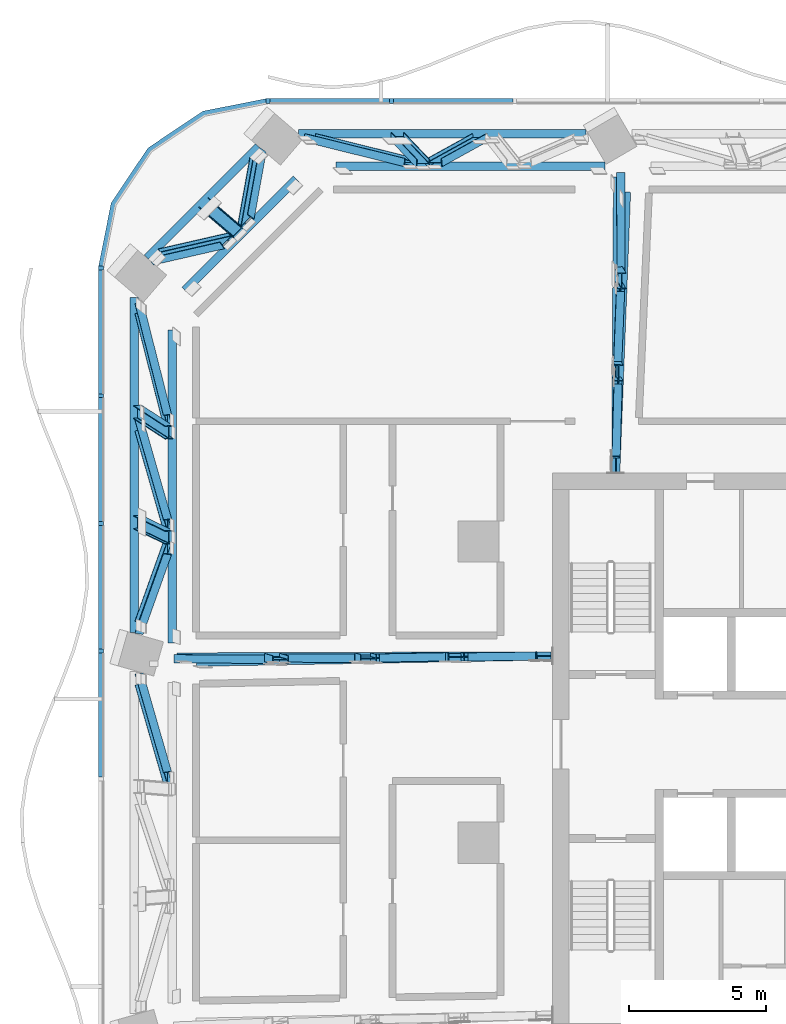
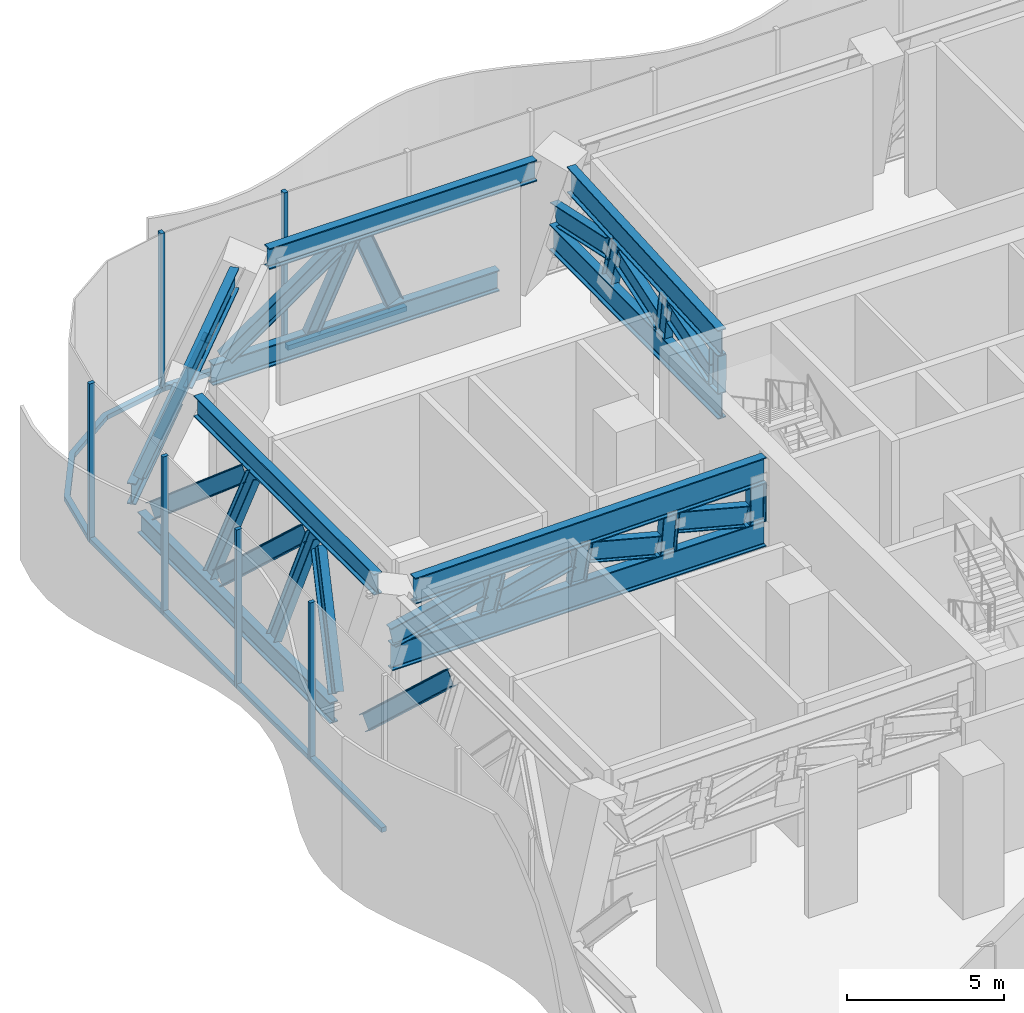
# One storey, part 6 of 32: 49 members, 3 elements without a shape of their own.
"""IFC4 building model written with IfcOpenShell, lengths in metres."""

from ifc_helpers import new_model, si_unit, direction, frame, origin, origin_2d, place, context, subcontext, project, spatial, polyline, rectangle, i_section, outline, extrude, material, material_profile, profile_set, type_object, element, aggregate, save


model = new_model("IFC4")

# Units and contexts
model_context = context("Model", 3, precision=1e-05, world=origin(), true_north=direction((0.0, 1.0)))
body_context = subcontext(model_context, "Body", "Model", "MODEL_VIEW")
ifc_project = project(units=[si_unit("LENGTHUNIT", "METRE"), si_unit("AREAUNIT", "SQUARE_METRE"), si_unit("VOLUMEUNIT", "CUBIC_METRE"), si_unit("PLANEANGLEUNIT", "RADIAN"), si_unit("MASSUNIT", "GRAM", prefix="KILO")], contexts=[model_context])

# Site, building, storey
site_placement = place(None, origin())
site = spatial("IfcSite", under=ifc_project, at=site_placement, CompositionType="ELEMENT")
building_placement = place(site_placement, origin())
building = spatial("IfcBuilding", under=site, at=building_placement, Name="Mopane Tessera Tower", CompositionType="ELEMENT")
storey_placement = place(building_placement, frame((0.0, 0.0, 88.60009765625)))
storey = spatial("IfcBuildingStorey", under=building, at=storey_placement, Name="L17", CompositionType="ELEMENT", Elevation=88.60009765625)

# Curtain wall, members
ifc_material_1 = material(Name="Aluminium frame", Category="aluminium")
curtain_wall_type = type_object("IfcCurtainWallType", Name="Plant floor unitised wall", PredefinedType="NOTDEFINED", material=ifc_material_1)
curtain_wall_1_placement = place(storey_placement, origin())
curtain_wall_1 = element("IfcCurtainWall", 1, at=curtain_wall_1_placement, inside=storey, type_object=curtain_wall_type, Name="e:cw:L17:N:0", PredefinedType="NOTDEFINED")
ifc_material_2 = material(Name="Aluminium frame", Category="aluminium")
ifc_material_profile_1 = material_profile(ifc_material_2, rectangle(XDim=0.139892578125, YDim=0.199951171875, at=origin_2d()))
ifc_profile_set_1 = profile_set([ifc_material_profile_1], Name="Aluminium frame")
member_type_1 = type_object("IfcMemberType", Name="Aluminium mullion 140 x 200", PredefinedType="MULLION", material=ifc_profile_set_1)
member_1_placement = place(storey_placement, frame((-20.291015625, 27.10009765625, -0.60009765625), z_axis=(0.0, 0.0, 1.0), x_axis=(-1.0, 0.0, 0.0)))
member_1 = element("IfcMember", 2, at=member_1_placement, type_object=member_type_1, Name="e:cw:L17:N:0:mu10", PredefinedType="MULLION", context=body_context, shape_type="SweptSolid", body=[
    extrude(rectangle(XDim=0.139892578125, YDim=0.199951171875, at=origin_2d()), origin(), (0.0, 0.0, 1.0), 6.14990234375),
])
member_2_placement = place(storey_placement, frame((-24.800048828125, 27.10009765625, -0.60009765625), z_axis=(0.0, 0.0, 1.0), x_axis=(-1.0, 0.0, 0.0)))
member_2 = element("IfcMember", 3, at=member_2_placement, type_object=member_type_1, Name="e:cw:L17:N:0:mu11", PredefinedType="MULLION", context=body_context, shape_type="SweptSolid", body=[
    extrude(rectangle(XDim=0.139892578125, YDim=0.199951171875, at=origin_2d()), origin(), (0.0, 0.0, 1.0), 6.14990234375),
])

curtain_wall_2_placement = place(storey_placement, origin())
curtain_wall_2 = element("IfcCurtainWall", 4, at=curtain_wall_2_placement, inside=storey, type_object=curtain_wall_type, Name="e:cw:L17:W:0", PredefinedType="NOTDEFINED")
member_3_placement = place(storey_placement, frame((-30.89990234375, 21.0, -0.60009765625), z_axis=(0.0, 0.0, 1.0), x_axis=(0.0, -1.0, 0.0)))
member_3 = element("IfcMember", 5, at=member_3_placement, type_object=member_type_1, Name="e:cw:L17:W:0:mu0", PredefinedType="MULLION", context=body_context, shape_type="SweptSolid", body=[
    extrude(rectangle(XDim=0.139892578125, YDim=0.199951171875, at=origin_2d()), origin(), (0.0, 0.0, 1.0), 6.14990234375),
])
member_4_placement = place(storey_placement, frame((-30.89990234375, 16.333251953125, -0.60009765625), z_axis=(0.0, 0.0, 1.0), x_axis=(0.0, -1.0, 0.0)))
member_4 = element("IfcMember", 6, at=member_4_placement, type_object=member_type_1, Name="e:cw:L17:W:0:mu1", PredefinedType="MULLION", context=body_context, shape_type="SweptSolid", body=[
    extrude(rectangle(XDim=0.139892578125, YDim=0.199951171875, at=origin_2d()), origin(), (0.0, 0.0, 1.0), 6.14990234375),
])
member_5_placement = place(storey_placement, frame((-30.89990234375, 11.666748046875, -0.60009765625), z_axis=(0.0, 0.0, 1.0), x_axis=(0.0, -1.0, 0.0)))
member_5 = element("IfcMember", 7, at=member_5_placement, type_object=member_type_1, Name="e:cw:L17:W:0:mu2", PredefinedType="MULLION", context=body_context, shape_type="SweptSolid", body=[
    extrude(rectangle(XDim=0.139892578125, YDim=0.199951171875, at=origin_2d()), origin(), (0.0, 0.0, 1.0), 6.14990234375),
])
member_6_placement = place(storey_placement, frame((-30.89990234375, 7.0, -0.60009765625), z_axis=(0.0, 0.0, 1.0), x_axis=(0.0, -1.0, 0.0)))
member_6 = element("IfcMember", 8, at=member_6_placement, type_object=member_type_1, Name="e:cw:L17:W:0:mu3", PredefinedType="MULLION", context=body_context, shape_type="SweptSolid", body=[
    extrude(rectangle(XDim=0.139892578125, YDim=0.199951171875, at=origin_2d()), origin(), (0.0, 0.0, 1.0), 6.14990234375),
])

# Member
ifc_material_3 = material(Name="Aluminium frame", Category="aluminium")
ifc_material_profile_2 = material_profile(ifc_material_3, rectangle(XDim=0.199951171875, YDim=0.179931640625, at=origin_2d()))
ifc_profile_set_2 = profile_set([ifc_material_profile_2], Name="Aluminium frame")
member_type_2 = type_object("IfcMemberType", Name="Aluminium transom 200 x 180", PredefinedType="USERDEFINED", material=ifc_profile_set_2)
member_7_placement = place(storey_placement, frame((-15.851806640625, 27.10009765625, -0.510009765625), z_axis=(-1.0, 0.0, 0.0), x_axis=(0.0, -1.0, 0.0)))
member_7 = element("IfcMember", 9, at=member_7_placement, type_object=member_type_2, Name="e:cw:L17:N:0:tr9", ObjectType="TRANSOM", PredefinedType="USERDEFINED", context=body_context, shape_type="SweptSolid", body=[
    extrude(rectangle(XDim=0.199951171875, YDim=0.179931640625, at=origin_2d()), origin(), (0.0, 0.0, 1.0), 4.369140625),
])

member_8_placement = place(storey_placement, frame((-20.36083984375, 27.10009765625, -0.510009765625), z_axis=(-1.0, 0.0, 0.0), x_axis=(0.0, -1.0, 0.0)))
member_8 = element("IfcMember", 10, at=member_8_placement, type_object=member_type_2, Name="e:cw:L17:N:0:tr10", ObjectType="TRANSOM", PredefinedType="USERDEFINED", context=body_context, shape_type="SweptSolid", body=[
    extrude(rectangle(XDim=0.199951171875, YDim=0.179931640625, at=origin_2d()), origin(), (0.0, 0.0, 1.0), 4.369140625),
])

aggregate(curtain_wall_1, [member_1, member_2, member_7, member_8])

# Curtain wall, member
curtain_wall_3_placement = place(storey_placement, origin())
curtain_wall_3 = element("IfcCurtainWall", 11, at=curtain_wall_3_placement, inside=storey, type_object=curtain_wall_type, Name="e:cw:L17:CN", PredefinedType="NOTDEFINED")
member_9_placement = place(storey_placement, frame((0.0, 0.0, -0.60009765625)))
member_9 = element("IfcMember", 12, at=member_9_placement, type_object=member_type_2, Name="e:cw:L17:CN:tr", ObjectType="TRANSOM", PredefinedType="USERDEFINED", context=body_context, shape_type="SweptSolid", body=[
    extrude(outline(polyline([(-24.800048828125, 27.0), (-27.09619140625, 26.543212890625), (-29.042724609375, 25.24267578125), (-30.34326171875, 23.296142578125), (-30.800048828125, 21.0), (-31.0, 21.0), (-30.528076171875, 23.37255859375), (-29.18408203125, 25.384033203125), (-27.172607421875, 26.72802734375), (-24.800048828125, 27.199951171875), (-24.800048828125, 27.0)])), origin(), (0.0, 0.0, 1.0), 0.179931640625),
])
aggregate(curtain_wall_3, [member_9])

# Member
member_10_placement = place(storey_placement, frame((-30.89990234375, 20.929931640625, -0.510009765625), z_axis=(0.0, -1.0, 0.0), x_axis=(1.0, 0.0, 0.0)))
member_10 = element("IfcMember", 13, at=member_10_placement, type_object=member_type_2, Name="e:cw:L17:W:0:tr0", ObjectType="TRANSOM", PredefinedType="USERDEFINED", context=body_context, shape_type="SweptSolid", body=[
    extrude(rectangle(XDim=0.199951171875, YDim=0.179931640625, at=origin_2d()), origin(), (0.0, 0.0, 1.0), 4.526611328125),
])

member_11_placement = place(storey_placement, frame((-30.89990234375, 16.263427734375, -0.510009765625), z_axis=(0.0, -1.0, 0.0), x_axis=(1.0, 0.0, 0.0)))
member_11 = element("IfcMember", 14, at=member_11_placement, type_object=member_type_2, Name="e:cw:L17:W:0:tr1", ObjectType="TRANSOM", PredefinedType="USERDEFINED", context=body_context, shape_type="SweptSolid", body=[
    extrude(rectangle(XDim=0.199951171875, YDim=0.179931640625, at=origin_2d()), origin(), (0.0, 0.0, 1.0), 4.52685546875),
])

member_12_placement = place(storey_placement, frame((-30.89990234375, 11.5966796875, -0.510009765625), z_axis=(0.0, -1.0, 0.0), x_axis=(1.0, 0.0, 0.0)))
member_12 = element("IfcMember", 15, at=member_12_placement, type_object=member_type_2, Name="e:cw:L17:W:0:tr2", ObjectType="TRANSOM", PredefinedType="USERDEFINED", context=body_context, shape_type="SweptSolid", body=[
    extrude(rectangle(XDim=0.199951171875, YDim=0.179931640625, at=origin_2d()), origin(), (0.0, 0.0, 1.0), 4.526611328125),
])

member_13_placement = place(storey_placement, frame((-30.89990234375, 6.929931640625, -0.510009765625), z_axis=(0.0, -1.0, 0.0), x_axis=(1.0, 0.0, 0.0)))
member_13 = element("IfcMember", 16, at=member_13_placement, type_object=member_type_2, Name="e:cw:L17:W:0:tr3", ObjectType="TRANSOM", PredefinedType="USERDEFINED", context=body_context, shape_type="SweptSolid", body=[
    extrude(rectangle(XDim=0.199951171875, YDim=0.179931640625, at=origin_2d()), origin(), (0.0, 0.0, 1.0), 4.526611328125),
])

aggregate(curtain_wall_2, [member_3, member_4, member_5, member_6, member_10, member_11, member_12, member_13])

# Members
ifc_material_4 = material(Name="Structural steel S460", Category="steel")
ifc_material_profile_3 = material_profile(ifc_material_4, i_section(OverallWidth=0.302978515625, OverallDepth=0.81396484375, WebThickness=0.02099609375, FlangeThickness=0.0400390625, FilletRadius=0.030029296875, at=origin_2d()))
ifc_profile_set_3 = profile_set([ifc_material_profile_3], Name="Structural steel S460")
member_type_3 = type_object("IfcMemberType", Name="Belt truss chord HE 800 M", PredefinedType="CHORD", material=ifc_profile_set_3)
member_14_placement = place(storey_placement, frame((-13.180908203125, 25.898193359375, 0.406982421875), z_axis=(-1.0, 0.0, 0.0), x_axis=(0.0, -1.0, 0.0)))
element("IfcMember", 17, at=member_14_placement, inside=storey, type_object=member_type_3, Name="Belt truss bottom chord L17 N3-N4", PredefinedType="CHORD", context=body_context, shape_type="SweptSolid", body=[
    extrude(i_section(OverallWidth=0.302978515625, OverallDepth=0.81396484375, WebThickness=0.02099609375, FlangeThickness=0.0400390625, FilletRadius=0.030029296875, at=origin_2d()), origin(), (0.0, 0.0, 1.0), 10.508056640625),
])
member_15_placement = place(storey_placement, frame((-12.490234375, 24.71435546875, 5.142822265625), z_axis=(-1.0, 0.0, 0.0), x_axis=(0.0, -1.0, 0.0)))
element("IfcMember", 18, at=member_15_placement, inside=storey, type_object=member_type_3, Name="Belt truss top chord L17 N3-N4", PredefinedType="CHORD", context=body_context, shape_type="SweptSolid", body=[
    extrude(i_section(OverallWidth=0.302978515625, OverallDepth=0.81396484375, WebThickness=0.02099609375, FlangeThickness=0.0400390625, FilletRadius=0.030029296875, at=origin_2d()), origin(), (0.0, 0.0, 1.0), 9.8173828125),
])
for number, where, z_axis, x_axis, name in (
    (19, (-25.150146484375, 25.429443359375, 0.406982421875), (-0.707106781187, -0.707106781187, 0.0), (0.707106781187, -0.707106781187, 0.0), "Belt truss bottom chord L17 N4-W0"),
    (20, (-23.768798828125, 24.245361328125, 5.142822265625), (-0.707106781187, -0.707106781187, 0.0), (0.707106781187, -0.707106781187, 0.0), "Belt truss top chord L17 N4-W0"),
):
    element("IfcMember", number, at=place(storey_placement, frame(where, z_axis=z_axis, x_axis=x_axis)), inside=storey, type_object=member_type_3, Name=name, PredefinedType="CHORD", context=body_context, shape_type="SweptSolid", body=[
        extrude(i_section(OverallWidth=0.302978515625, OverallDepth=0.81396484375, WebThickness=0.02099609375, FlangeThickness=0.0400390625, FilletRadius=0.030029296875, at=origin_2d()), origin(), (0.0, 0.0, 1.0), 5.744873046875),
    ])
member_16_placement = place(storey_placement, frame((-29.681396484375, 19.912841796875, 0.406982421875), z_axis=(0.0, -1.0, 0.0), x_axis=(1.0, 0.0, 0.0)))
element("IfcMember", 21, at=member_16_placement, inside=storey, type_object=member_type_3, Name="Belt truss bottom chord L17 W0-W1", PredefinedType="CHORD", context=body_context, shape_type="SweptSolid", body=[
    extrude(i_section(OverallWidth=0.302978515625, OverallDepth=0.81396484375, WebThickness=0.02099609375, FlangeThickness=0.0400390625, FilletRadius=0.030029296875, at=origin_2d()), origin(), (0.0, 0.0, 1.0), 12.22802734375),
])
member_17_placement = place(storey_placement, frame((-28.300048828125, 18.72900390625, 5.142822265625), z_axis=(0.0, -1.0, 0.0), x_axis=(1.0, 0.0, 0.0)))
element("IfcMember", 22, at=member_17_placement, inside=storey, type_object=member_type_3, Name="Belt truss top chord L17 W0-W1", PredefinedType="CHORD", context=body_context, shape_type="SweptSolid", body=[
    extrude(i_section(OverallWidth=0.302978515625, OverallDepth=0.81396484375, WebThickness=0.02099609375, FlangeThickness=0.0400390625, FilletRadius=0.030029296875, at=origin_2d()), origin(), (0.0, 0.0, 1.0), 11.438720703125),
])
ifc_material_5 = material(Name="Structural steel S460", Category="steel")
ifc_material_profile_4 = material_profile(ifc_material_5, i_section(OverallWidth=0.300048828125, OverallDepth=0.60009765625, WebThickness=0.015380859375, FlangeThickness=0.030029296875, FilletRadius=0.027099609375, at=origin_2d()))
ifc_profile_set_4 = profile_set([ifc_material_profile_4], Name="Structural steel S460")
member_type_4 = type_object("IfcMemberType", Name="Belt truss diagonal HE 600 B", PredefinedType="BRACE", material=ifc_profile_set_4)
member_18_placement = place(storey_placement, frame((-17.060791015625, 25.76220703125, 0.950927734375), z_axis=(-0.402501298803, -0.221993849827, 0.888094271517), x_axis=(0.091567308749, -0.975048062756, -0.202229333392)))
element("IfcMember", 23, at=member_18_placement, inside=storey, type_object=member_type_4, Name="Belt truss diagonal 1 L17 N3-N4", PredefinedType="BRACE", context=body_context, shape_type="SweptSolid", body=[
    extrude(i_section(OverallWidth=0.300048828125, OverallDepth=0.60009765625, WebThickness=0.015380859375, FlangeThickness=0.030029296875, FilletRadius=0.027099609375, at=origin_2d()), origin(), (0.0, 0.0, 1.0), 4.107666015625),
])
member_19_placement = place(storey_placement, frame((-19.6083984375, 24.853759765625, 4.5849609375), z_axis=(-0.699650362609, 0.173288160232, -0.693152640928), x_axis=(-0.123111197199, -0.984871165894, -0.121952530583)))
element("IfcMember", 24, at=member_19_placement, inside=storey, type_object=member_type_4, Name="Belt truss diagonal 2 L17 N3-N4", PredefinedType="BRACE", context=body_context, shape_type="SweptSolid", body=[
    extrude(i_section(OverallWidth=0.300048828125, OverallDepth=0.60009765625, WebThickness=0.015380859375, FlangeThickness=0.030029296875, FilletRadius=0.027099609375, at=origin_2d()), origin(), (0.0, 0.0, 1.0), 5.22265625),
])
member_20_placement = place(storey_placement, frame((-25.1669921875, 25.129638671875, 0.929443359375), z_axis=(-0.098851267283, -0.548569616047, 0.830240810432), x_axis=(0.778985844771, -0.561817424332, -0.278464064761)))
element("IfcMember", 25, at=member_20_placement, inside=storey, type_object=member_type_4, Name="Belt truss diagonal 0 L17 N4-W0", PredefinedType="BRACE", context=body_context, shape_type="SweptSolid", body=[
    extrude(i_section(OverallWidth=0.300048828125, OverallDepth=0.60009765625, WebThickness=0.015380859375, FlangeThickness=0.030029296875, FilletRadius=0.027099609375, at=origin_2d()), origin(), (0.0, 0.0, 1.0), 4.445556640625),
])
member_21_placement = place(storey_placement, frame((-26.29833984375, 21.9990234375, 4.620361328125), z_axis=(-0.569875535143, -0.130407528995, -0.811317293558), x_axis=(0.557621124298, -0.786576730003, -0.265246544848)))
element("IfcMember", 26, at=member_21_placement, inside=storey, type_object=member_type_4, Name="Belt truss diagonal 1 L17 N4-W0", PredefinedType="BRACE", context=body_context, shape_type="SweptSolid", body=[
    extrude(i_section(OverallWidth=0.300048828125, OverallDepth=0.60009765625, WebThickness=0.015380859375, FlangeThickness=0.030029296875, FilletRadius=0.027099609375, at=origin_2d()), origin(), (0.0, 0.0, 1.0), 4.54931640625),
])
member_22_placement = place(storey_placement, frame((-29.5107421875, 19.527099609375, 0.991943359375), z_axis=(0.188412877586, -0.739719572213, 0.645999645545), x_axis=(0.982089908077, 0.141916811889, -0.12393155755)))
element("IfcMember", 27, at=member_22_placement, inside=storey, type_object=member_type_4, Name="Belt truss diagonal 0 L17 W0-W1", PredefinedType="BRACE", context=body_context, shape_type="SweptSolid", body=[
    extrude(i_section(OverallWidth=0.300048828125, OverallDepth=0.60009765625, WebThickness=0.015380859375, FlangeThickness=0.030029296875, FilletRadius=0.027099609375, at=origin_2d()), origin(), (0.0, 0.0, 1.0), 5.52001953125),
])
member_23_placement = place(storey_placement, frame((-29.513916015625, 15.257080078125, 0.98095703125), z_axis=(0.200403719636, -0.698327007177, 0.687151904752), x_axis=(0.979713401539, 0.142845676318, -0.14055875498)))
element("IfcMember", 28, at=member_23_placement, inside=storey, type_object=member_type_4, Name="Belt truss diagonal 1 L17 W0-W1", PredefinedType="BRACE", context=body_context, shape_type="SweptSolid", body=[
    extrude(i_section(OverallWidth=0.300048828125, OverallDepth=0.60009765625, WebThickness=0.015380859375, FlangeThickness=0.030029296875, FilletRadius=0.027099609375, at=origin_2d()), origin(), (0.0, 0.0, 1.0), 5.221435546875),
])
member_24_placement = place(storey_placement, frame((-28.470703125, 10.768310546875, 4.557861328125), z_axis=(-0.220504789335, -0.616274653011, -0.756031209632), x_axis=(0.975385891778, -0.139320539279, -0.170915620863)))
element("IfcMember", 29, at=member_24_placement, inside=storey, type_object=member_type_4, Name="Belt truss diagonal 2 L17 W0-W1", PredefinedType="BRACE", context=body_context, shape_type="SweptSolid", body=[
    extrude(i_section(OverallWidth=0.300048828125, OverallDepth=0.60009765625, WebThickness=0.015380859375, FlangeThickness=0.030029296875, FilletRadius=0.027099609375, at=origin_2d()), origin(), (0.0, 0.0, 1.0), 4.716552734375),
])
member_25_placement = place(storey_placement, frame((-29.509521484375, 5.9765625, 0.995849609375), z_axis=(0.200932231115, -0.696479987173, 0.688869992064), x_axis=(0.979605144172, 0.14286116767, -0.141295606028)))
element("IfcMember", 30, at=member_25_placement, inside=storey, type_object=member_type_4, Name="Belt truss diagonal 0 L17 W1-W2", PredefinedType="BRACE", context=body_context, shape_type="SweptSolid", body=[
    extrude(i_section(OverallWidth=0.300048828125, OverallDepth=0.60009765625, WebThickness=0.015380859375, FlangeThickness=0.030029296875, FilletRadius=0.027099609375, at=origin_2d()), origin(), (0.0, 0.0, 1.0), 5.1650390625),
])
ifc_material_6 = material(Name="Structural steel S460", Category="steel")
ifc_material_profile_5 = material_profile(ifc_material_6, i_section(OverallWidth=0.300048828125, OverallDepth=0.5, WebThickness=0.014404296875, FlangeThickness=0.028076171875, FilletRadius=0.027099609375, at=origin_2d()))
ifc_profile_set_5 = profile_set([ifc_material_profile_5], Name="Structural steel S460")
member_type_5 = type_object("IfcMemberType", Name="Belt truss post HE 500 B", PredefinedType="POST", material=ifc_profile_set_5)
member_26_placement = place(storey_placement, frame((-20.066650390625, 25.79638671875, 0.81396484375), z_axis=(0.225241193475, -0.236303195662, 0.945212782648), x_axis=(-0.054739580111, -0.971679370141, -0.229875575064)))
element("IfcMember", 31, at=member_26_placement, inside=storey, type_object=member_type_5, Name="Belt truss post 2 L17 N3-N4", PredefinedType="POST", context=body_context, shape_type="SweptSolid", body=[
    extrude(i_section(OverallWidth=0.300048828125, OverallDepth=0.5, WebThickness=0.014404296875, FlangeThickness=0.028076171875, FilletRadius=0.027099609375, at=origin_2d()), origin(), (0.0, 0.0, 1.0), 4.149169921875),
])
member_27_placement = place(storey_placement, frame((-27.062744140625, 23.29638671875, 0.81396484375), z_axis=(0.272304312677, -0.233370490762, 0.933481963049), x_axis=(0.652958739666, -0.667758104727, -0.357412923472)))
element("IfcMember", 32, at=member_27_placement, inside=storey, type_object=member_type_5, Name="Belt truss post 1 L17 N4-W0", PredefinedType="POST", context=body_context, shape_type="SweptSolid", body=[
    extrude(i_section(OverallWidth=0.300048828125, OverallDepth=0.5, WebThickness=0.014404296875, FlangeThickness=0.028076171875, FilletRadius=0.027099609375, at=origin_2d()), origin(), (0.0, 0.0, 1.0), 4.201416015625),
])
member_28_placement = place(storey_placement, frame((-29.562744140625, 15.73486328125, 0.81396484375), z_axis=(0.275529715303, -0.178688605379, 0.944538913065), x_axis=(0.961292554793, 0.051207070691, -0.270729496012)))
element("IfcMember", 33, at=member_28_placement, inside=storey, type_object=member_type_5, Name="Belt truss post 1 L17 W0-W1", PredefinedType="POST", context=body_context, shape_type="SweptSolid", body=[
    extrude(i_section(OverallWidth=0.300048828125, OverallDepth=0.5, WebThickness=0.014404296875, FlangeThickness=0.028076171875, FilletRadius=0.027099609375, at=origin_2d()), origin(), (0.0, 0.0, 1.0), 4.152099609375),
])
member_29_placement = place(storey_placement, frame((-29.562744140625, 11.712646484375, 0.81396484375), z_axis=(0.277512695679, -0.133959393433, 0.951336735677), x_axis=(0.96072196985, 0.038715535567, -0.274798842708)))
element("IfcMember", 34, at=member_29_placement, inside=storey, type_object=member_type_5, Name="Belt truss post 2 L17 W0-W1", PredefinedType="POST", context=body_context, shape_type="SweptSolid", body=[
    extrude(i_section(OverallWidth=0.300048828125, OverallDepth=0.5, WebThickness=0.014404296875, FlangeThickness=0.028076171875, FilletRadius=0.027099609375, at=origin_2d()), origin(), (0.0, 0.0, 1.0), 4.12255859375),
])
ifc_material_7 = material(Name="Structural steel S460", Category="steel")
ifc_material_profile_6 = material_profile(ifc_material_7, i_section(OverallWidth=0.302001953125, OverallDepth=1.008056640625, WebThickness=0.02099609375, FlangeThickness=0.0400390625, FilletRadius=0.030029296875, at=origin_2d()))
ifc_profile_set_6 = profile_set([ifc_material_profile_6], Name="Structural steel S460")
member_type_6 = type_object("IfcMemberType", Name="Outrigger truss chord HE 1000 M", PredefinedType="CHORD", material=ifc_profile_set_6)
member_30_placement = place(storey_placement, frame((-14.4150390625, 6.824951171875, 2.60400390625), z_axis=(-0.999995893946, -0.002865674752, 0.0), x_axis=(0.002865674752, -0.999995893946, 0.0)))
element("IfcMember", 35, at=member_30_placement, inside=storey, type_object=member_type_6, Name="Outrigger truss bottom chord L17 W1", PredefinedType="CHORD", context=body_context, shape_type="SweptSolid", body=[
    extrude(i_section(OverallWidth=0.302001953125, OverallDepth=1.008056640625, WebThickness=0.02099609375, FlangeThickness=0.0400390625, FilletRadius=0.030029296875, at=origin_2d()), origin(), (0.0, 0.0, 1.0), 13.71630859375),
])
member_31_placement = place(storey_placement, frame((-14.4150390625, 6.82470703125, 5.0458984375), z_axis=(-0.999844885745, -0.017612621886, 0.0), x_axis=(0.017612621886, -0.999844885745, 0.0)))
element("IfcMember", 36, at=member_31_placement, inside=storey, type_object=member_type_6, Name="Outrigger truss top chord L17 W1", PredefinedType="CHORD", context=body_context, shape_type="SweptSolid", body=[
    extrude(i_section(OverallWidth=0.302001953125, OverallDepth=1.008056640625, WebThickness=0.02099609375, FlangeThickness=0.0400390625, FilletRadius=0.030029296875, at=origin_2d()), origin(), (0.0, 0.0, 1.0), 13.002197265625),
])
member_32_placement = place(storey_placement, frame((-12.093505859375, 13.515380859375, 2.60400390625), z_axis=(0.006208676502, 0.999980725982, 0.0), x_axis=(-0.999980725982, 0.006208676502, 0.0)))
element("IfcMember", 37, at=member_32_placement, inside=storey, type_object=member_type_6, Name="Outrigger truss bottom chord L17 N3", PredefinedType="CHORD", context=body_context, shape_type="SweptSolid", body=[
    extrude(i_section(OverallWidth=0.302001953125, OverallDepth=1.008056640625, WebThickness=0.02099609375, FlangeThickness=0.0400390625, FilletRadius=0.030029296875, at=origin_2d()), origin(), (0.0, 0.0, 1.0), 10.813720703125),
])
member_33_placement = place(storey_placement, frame((-12.093017578125, 13.515380859375, 5.0458984375), z_axis=(0.038204721055, 0.999269933146, 0.0), x_axis=(-0.999269933146, 0.038204721055, 0.0)))
element("IfcMember", 38, at=member_33_placement, inside=storey, type_object=member_type_6, Name="Outrigger truss top chord L17 N3", PredefinedType="CHORD", context=body_context, shape_type="SweptSolid", body=[
    extrude(i_section(OverallWidth=0.302001953125, OverallDepth=1.008056640625, WebThickness=0.02099609375, FlangeThickness=0.0400390625, FilletRadius=0.030029296875, at=origin_2d()), origin(), (0.0, 0.0, 1.0), 10.262939453125),
])
ifc_material_8 = material(Name="Structural steel S460", Category="steel")
ifc_material_profile_7 = material_profile(ifc_material_8, i_section(OverallWidth=0.300048828125, OverallDepth=0.800048828125, WebThickness=0.017578125, FlangeThickness=0.032958984375, FilletRadius=0.030029296875, at=origin_2d()))
ifc_profile_set_7 = profile_set([ifc_material_profile_7], Name="Structural steel S460")
member_type_7 = type_object("IfcMemberType", Name="Outrigger truss diagonal HE 800 B", PredefinedType="BRACE", material=ifc_profile_set_7)
member_34_placement = place(storey_placement, frame((-15.065673828125, 6.819580078125, 3.484375), z_axis=(-0.965480382432, -0.012686505508, 0.260166646049), x_axis=(0.012438699351, -0.99991925884, -0.002598953359)))
element("IfcMember", 39, at=member_34_placement, inside=storey, type_object=member_type_7, Name="Outrigger truss diagonal 0 L17 W1", PredefinedType="BRACE", context=body_context, shape_type="SweptSolid", body=[
    extrude(i_section(OverallWidth=0.300048828125, OverallDepth=0.800048828125, WebThickness=0.017578125, FlangeThickness=0.032958984375, FilletRadius=0.030029296875, at=origin_2d()), origin(), (0.0, 0.0, 1.0), 2.6171875),
])
member_35_placement = place(storey_placement, frame((-18.348388671875, 6.793212890625, 3.484375), z_axis=(-0.964204869632, -0.017927665554, 0.264551636144), x_axis=(0.017483938821, -0.999839014345, -0.004032031406)))
element("IfcMember", 40, at=member_35_placement, inside=storey, type_object=member_type_7, Name="Outrigger truss diagonal 1 L17 W1", PredefinedType="BRACE", context=body_context, shape_type="SweptSolid", body=[
    extrude(i_section(OverallWidth=0.300048828125, OverallDepth=0.800048828125, WebThickness=0.017578125, FlangeThickness=0.032958984375, FilletRadius=0.030029296875, at=origin_2d()), origin(), (0.0, 0.0, 1.0), 2.57373046875),
])
member_36_placement = place(storey_placement, frame((-21.53125, 6.738525390625, 4.165283203125), z_axis=(-0.969013553546, 0.002833890853, -0.246991299656), x_axis=(-0.002569320796, -0.999995728423, -0.001393458284)))
element("IfcMember", 41, at=member_36_placement, inside=storey, type_object=member_type_7, Name="Outrigger truss diagonal 2 L17 W1", PredefinedType="BRACE", context=body_context, shape_type="SweptSolid", body=[
    extrude(i_section(OverallWidth=0.300048828125, OverallDepth=0.800048828125, WebThickness=0.017578125, FlangeThickness=0.032958984375, FilletRadius=0.030029296875, at=origin_2d()), origin(), (0.0, 0.0, 1.0), 2.7568359375),
])
member_37_placement = place(storey_placement, frame((-24.758056640625, 6.699462890625, 4.161376953125), z_axis=(-0.976299250364, 0.006112848851, -0.216338639214), x_axis=(-0.00583382792, -0.999981123825, -0.001928326997)))
element("IfcMember", 42, at=member_37_placement, inside=storey, type_object=member_type_7, Name="Outrigger truss diagonal 3 L17 W1", PredefinedType="BRACE", context=body_context, shape_type="SweptSolid", body=[
    extrude(i_section(OverallWidth=0.300048828125, OverallDepth=0.800048828125, WebThickness=0.017578125, FlangeThickness=0.032958984375, FilletRadius=0.030029296875, at=origin_2d()), origin(), (0.0, 0.0, 1.0), 3.474609375),
])
member_38_placement = place(storey_placement, frame((-12.082275390625, 14.158935546875, 3.48681640625), z_axis=(0.027604645751, 0.96950329089, 0.243518690222), x_axis=(-0.999617758024, 0.027144275975, 0.005246534501)))
element("IfcMember", 43, at=member_38_placement, inside=storey, type_object=member_type_7, Name="Outrigger truss diagonal 0 L17 N3", PredefinedType="BRACE", context=body_context, shape_type="SweptSolid", body=[
    extrude(i_section(OverallWidth=0.300048828125, OverallDepth=0.800048828125, WebThickness=0.017578125, FlangeThickness=0.032958984375, FilletRadius=0.030029296875, at=origin_2d()), origin(), (0.0, 0.0, 1.0), 2.777099609375),
])
member_39_placement = place(storey_placement, frame((-12.0224609375, 17.59765625, 3.48681640625), z_axis=(0.038725697794, 0.968053009056, 0.247737142931), x_axis=(-0.999248692622, 0.037898635259, 0.008108251216)))
element("IfcMember", 44, at=member_39_placement, inside=storey, type_object=member_type_7, Name="Outrigger truss diagonal 1 L17 N3", PredefinedType="BRACE", context=body_context, shape_type="SweptSolid", body=[
    extrude(i_section(OverallWidth=0.300048828125, OverallDepth=0.800048828125, WebThickness=0.017578125, FlangeThickness=0.032958984375, FilletRadius=0.030029296875, at=origin_2d()), origin(), (0.0, 0.0, 1.0), 2.729736328125),
])
member_40_placement = place(storey_placement, frame((-11.899169921875, 20.917724609375, 4.15966796875), z_axis=(-0.003895253523, 0.978392012143, -0.206721787856), x_axis=(-0.999991595573, -0.003546714233, 0.00205659943)))
element("IfcMember", 45, at=member_40_placement, inside=storey, type_object=member_type_7, Name="Outrigger truss diagonal 2 L17 N3", PredefinedType="BRACE", context=body_context, shape_type="SweptSolid", body=[
    extrude(i_section(OverallWidth=0.300048828125, OverallDepth=0.800048828125, WebThickness=0.017578125, FlangeThickness=0.032958984375, FilletRadius=0.030029296875, at=origin_2d()), origin(), (0.0, 0.0, 1.0), 3.572509765625),
])
ifc_material_9 = material(Name="Structural steel S460", Category="steel")
ifc_material_profile_8 = material_profile(ifc_material_9, i_section(OverallWidth=0.300048828125, OverallDepth=0.60009765625, WebThickness=0.015380859375, FlangeThickness=0.030029296875, FilletRadius=0.027099609375, at=origin_2d()))
ifc_profile_set_8 = profile_set([ifc_material_profile_8], Name="Structural steel S460")
member_type_8 = type_object("IfcMemberType", Name="Outrigger truss post HE 600 B", PredefinedType="POST", material=ifc_profile_set_8)
member_41_placement = place(storey_placement, frame((-14.712646484375, 6.8232421875, 3.10791015625), z_axis=(0.0062988085, -0.001872618743, 0.999978408922), x_axis=(-0.007818374207, -0.999967773688, -0.001823351322)))
element("IfcMember", 46, at=member_41_placement, inside=storey, type_object=member_type_8, Name="Outrigger truss post 0 L17 W1", PredefinedType="POST", context=body_context, shape_type="SweptSolid", body=[
    extrude(i_section(OverallWidth=0.300048828125, OverallDepth=0.60009765625, WebThickness=0.015380859375, FlangeThickness=0.030029296875, FilletRadius=0.027099609375, at=origin_2d()), origin(), (0.0, 0.0, 1.0), 1.43408203125),
])
member_42_placement = place(storey_placement, frame((-18.020263671875, 6.803955078125, 3.10791015625), z_axis=(0.072655227453, -0.020710134928, 0.997142070236), x_axis=(0.001963288729, -0.999779476943, -0.020907964549)))
element("IfcMember", 47, at=member_42_placement, inside=storey, type_object=member_type_8, Name="Outrigger truss post 1 L17 W1", PredefinedType="POST", context=body_context, shape_type="SweptSolid", body=[
    extrude(i_section(OverallWidth=0.300048828125, OverallDepth=0.60009765625, WebThickness=0.015380859375, FlangeThickness=0.030029296875, FilletRadius=0.027099609375, at=origin_2d()), origin(), (0.0, 0.0, 1.0), 1.438232421875),
])
member_43_placement = place(storey_placement, frame((-21.327880859375, 6.784912109375, 3.10791015625), z_axis=(0.137819545659, -0.039425151203, 0.989672385331), x_axis=(-0.002944064596, -0.99921935938, -0.039395486084)))
element("IfcMember", 48, at=member_43_placement, inside=storey, type_object=member_type_8, Name="Outrigger truss post 2 L17 W1", PredefinedType="POST", context=body_context, shape_type="SweptSolid", body=[
    extrude(i_section(OverallWidth=0.300048828125, OverallDepth=0.60009765625, WebThickness=0.015380859375, FlangeThickness=0.030029296875, FilletRadius=0.027099609375, at=origin_2d()), origin(), (0.0, 0.0, 1.0), 1.448974609375),
])
member_44_placement = place(storey_placement, frame((-24.6357421875, 6.765625, 3.10791015625), z_axis=(0.201423424104, -0.057430645716, 0.977819167922), x_axis=(-0.008306996181, -0.998343900376, -0.056924954077)))
element("IfcMember", 49, at=member_44_placement, inside=storey, type_object=member_type_8, Name="Outrigger truss post 3 L17 W1", PredefinedType="POST", context=body_context, shape_type="SweptSolid", body=[
    extrude(i_section(OverallWidth=0.300048828125, OverallDepth=0.60009765625, WebThickness=0.015380859375, FlangeThickness=0.030029296875, FilletRadius=0.027099609375, at=origin_2d()), origin(), (0.0, 0.0, 1.0), 1.466552734375),
])
member_45_placement = place(storey_placement, frame((-12.08984375, 13.81298828125, 3.10791015625), z_axis=(0.0039154393, -0.006809459651, 0.999969149821), x_axis=(-0.999914917197, 0.012416124762, 0.003999776657)))
element("IfcMember", 50, at=member_45_placement, inside=storey, type_object=member_type_8, Name="Outrigger truss post 0 L17 N3", PredefinedType="POST", context=body_context, shape_type="SweptSolid", body=[
    extrude(i_section(OverallWidth=0.300048828125, OverallDepth=0.60009765625, WebThickness=0.015380859375, FlangeThickness=0.030029296875, FilletRadius=0.027099609375, at=origin_2d()), origin(), (0.0, 0.0, 1.0), 1.43408203125),
])
member_46_placement = place(storey_placement, frame((-12.046142578125, 17.27978515625, 3.10791015625), z_axis=(0.0467838403, -0.080176653848, 0.995682166389), x_axis=(-0.998886724344, 0.002280567981, 0.047118053213)))
element("IfcMember", 51, at=member_46_placement, inside=storey, type_object=member_type_8, Name="Outrigger truss post 1 L17 N3", PredefinedType="POST", context=body_context, shape_type="SweptSolid", body=[
    extrude(i_section(OverallWidth=0.300048828125, OverallDepth=0.60009765625, WebThickness=0.015380859375, FlangeThickness=0.030029296875, FilletRadius=0.027099609375, at=origin_2d()), origin(), (0.0, 0.0, 1.0), 1.440185546875),
])
member_47_placement = place(storey_placement, frame((-12.002685546875, 20.74658203125, 3.10791015625), z_axis=(0.088652675346, -0.15199995565, 0.984396625673), x_axis=(-0.996043386883, -0.007389851203, 0.08856049653)))
element("IfcMember", 52, at=member_47_placement, inside=storey, type_object=member_type_8, Name="Outrigger truss post 2 L17 N3", PredefinedType="POST", context=body_context, shape_type="SweptSolid", body=[
    extrude(i_section(OverallWidth=0.300048828125, OverallDepth=0.60009765625, WebThickness=0.015380859375, FlangeThickness=0.030029296875, FilletRadius=0.027099609375, at=origin_2d()), origin(), (0.0, 0.0, 1.0), 1.456787109375),
])

save(model, "model.ifc")
